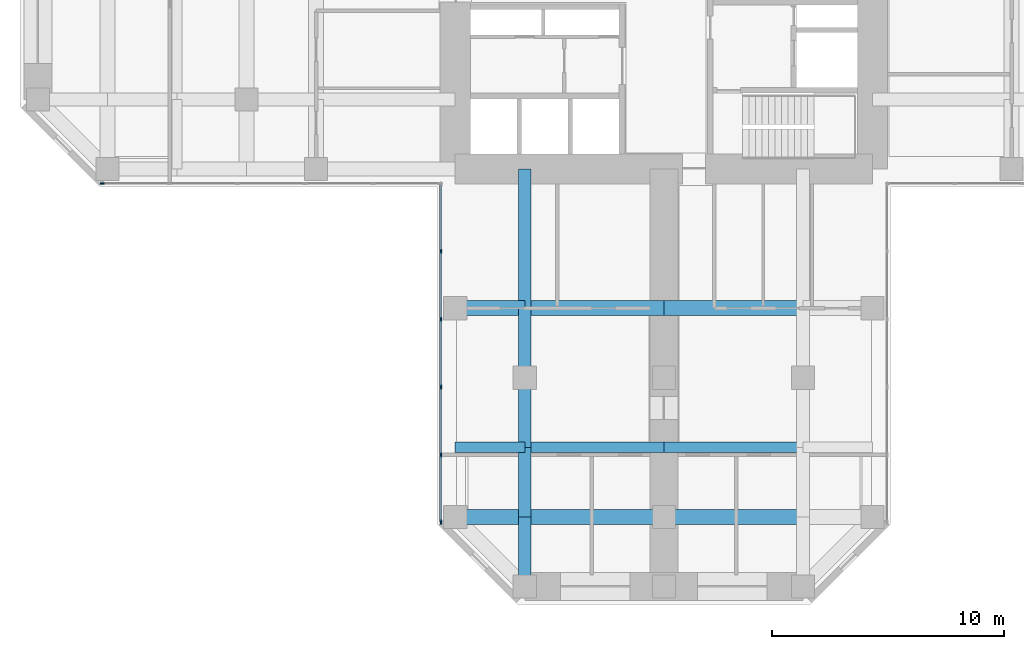
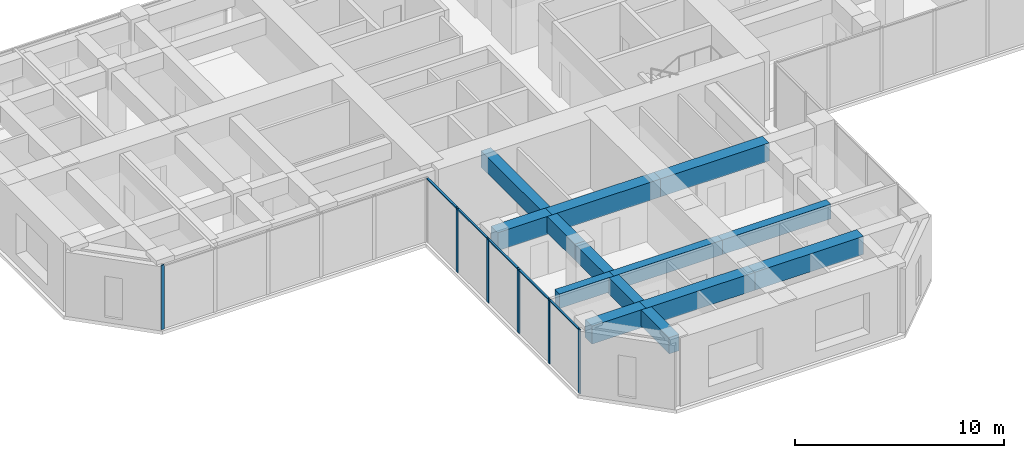
# One storey, part 2 of 13: 14 beams, 11 members, 2 elements without a shape of their own.
"""IFC4 building model written with IfcOpenShell, lengths in metres."""

import ifcopenshell
import ifcopenshell.guid

model = None  # the IFC model being written
_history = None  # IfcOwnerHistory: only IFC2X3 demands one
_inside = {}  # id of a spatial element -> (the spatial element, [elements in it])
_under = {}  # id of a project, library or spatial element -> (it, [spatial elements below it])
_declared = {}  # id of a project -> (the project, [libraries it declares])
_typed = {}  # id of a type object -> (the type object, [elements of that type])
_made_of = {}  # id of a material, layer set ... -> (it, [elements and type objects made of it])


def new_model(schema):
    """Start an empty IFC model of exactly this schema.

    Asked for "IFC4X3", IfcOpenShell would pick the latest addendum, in which some entities
    have other attributes; the version numbers below select the first issue.
    IFC2X3 requires an IfcOwnerHistory on every rooted entity: one is made here for all.
    """
    global model, _history
    if schema == "IFC4X3":
        model = ifcopenshell.file(schema_version=(4, 3, 0, 0))
    else:
        model = ifcopenshell.file(schema=schema)
    _inside.clear()
    _under.clear()
    _declared.clear()
    _typed.clear()
    _made_of.clear()
    _history = None
    if model.schema == "IFC2X3":
        org = make("IfcOrganization", Name="unknown")
        user = make(
            "IfcPersonAndOrganization",
            ThePerson=make("IfcPerson", FamilyName="unknown"),
            TheOrganization=org,
        )
        app = make(
            "IfcApplication",
            ApplicationDeveloper=org,
            Version="unknown",
            ApplicationFullName="unknown",
            ApplicationIdentifier="unknown",
        )
        _history = make(
            "IfcOwnerHistory",
            OwningUser=user,
            OwningApplication=app,
            ChangeAction="ADDED",
            CreationDate=0,
        )
    return model


def make(cls, **values):
    """One entity of the class cls with the attributes given. An attribute that is None is left unset."""
    return model.create_entity(
        cls, **{name: value for name, value in values.items() if value is not None}
    )


def rooted(cls, **values):
    """An entity with a GlobalId (a new one), such as an element, a storey or a relation."""
    return make(cls, GlobalId=ifcopenshell.guid.new(), OwnerHistory=_history, **values)


def si_unit(unit_type, name, prefix=None):
    """IfcSIUnit, for example si_unit("LENGTHUNIT", "METRE", prefix="MILLI")."""
    return make("IfcSIUnit", UnitType=unit_type, Prefix=prefix, Name=name)


def assignment(units):
    """IfcUnitAssignment: the units of a project."""
    return None if units is None else make("IfcUnitAssignment", Units=units)


def point(xyz):
    """IfcCartesianPoint."""
    return None if xyz is None else make("IfcCartesianPoint", Coordinates=xyz)


def direction(xyz):
    """IfcDirection."""
    return None if xyz is None else make("IfcDirection", DirectionRatios=xyz)


def frame(location, z_axis=None, x_axis=None):
    """IfcAxis2Placement3D, a coordinate frame: its origin and axes. An axis left out is left unset."""
    return make(
        "IfcAxis2Placement3D",
        Location=point(location),
        Axis=direction(z_axis),
        RefDirection=direction(x_axis),
    )


def frame_2d(location, x_axis=None):
    """IfcAxis2Placement2D, a coordinate frame in the plane: its origin and x axis."""
    return make(
        "IfcAxis2Placement2D", Location=point(location), RefDirection=direction(x_axis)
    )


def origin():
    """The frame at (0, 0, 0) with its axes left unset."""
    return frame((0.0, 0.0, 0.0))


def origin_2d():
    """The frame at (0, 0) in the plane with its x axis left unset."""
    return frame_2d((0.0, 0.0))


def place(relative_to, where):
    """IfcLocalPlacement: puts the frame where relative to a parent placement (None: the world)."""
    return make(
        "IfcLocalPlacement", PlacementRelTo=relative_to, RelativePlacement=where
    )


def context(
    kind, dimensions, precision=None, world=None, true_north=None, identifier=None
):
    """IfcGeometricRepresentationContext, for example the 3D "Model" context."""
    return make(
        "IfcGeometricRepresentationContext",
        ContextIdentifier=identifier,
        ContextType=kind,
        CoordinateSpaceDimension=dimensions,
        Precision=precision,
        WorldCoordinateSystem=world,
        TrueNorth=true_north,
    )


def subcontext(parent, identifier, kind, view, scale=None):
    """IfcGeometricRepresentationSubContext, for example "Body" below "Model"."""
    return make(
        "IfcGeometricRepresentationSubContext",
        ContextIdentifier=identifier,
        ContextType=kind,
        ParentContext=parent,
        TargetScale=scale,
        TargetView=view,
    )


def project(units=None, contexts=None):
    """IfcProject with its units and contexts."""
    return rooted(
        "IfcProject",
        Name="project",
        RepresentationContexts=contexts,
        UnitsInContext=assignment(units),
    )


def spatial(cls, under=None, at=None, **own):
    """A site, building, storey or space (cls), placed at a placement, below another one or the project."""
    s = rooted(cls, ObjectPlacement=at, **own)
    if under is not None:
        _under.setdefault(under.id(), (under, []))[1].append(s)
    return s


def profile(cls, at=None, kind="AREA", **sizes):
    """A parametric profile (cls). Its sizes go by their IFC names, for example OverallWidth=200.0."""
    return make(cls, ProfileType=kind, Position=at, **sizes)


def rectangle(**sizes):
    """IfcRectangleProfileDef."""
    return profile("IfcRectangleProfileDef", **sizes)


def extrude(swept, where, along, depth):
    """IfcExtrudedAreaSolid: the profile swept, set in the frame where, extruded along a direction by depth."""
    return make(
        "IfcExtrudedAreaSolid",
        SweptArea=swept,
        Position=where,
        ExtrudedDirection=direction(along),
        Depth=depth,
    )


def shape(context_of_items, identifier, shape_type, items):
    """IfcShapeRepresentation: the items that make up one representation, for example the "Body"."""
    return make(
        "IfcShapeRepresentation",
        ContextOfItems=context_of_items,
        RepresentationIdentifier=identifier,
        RepresentationType=shape_type,
        Items=items,
    )


def material(Name=None, Category=None):
    """IfcMaterial."""
    return make("IfcMaterial", Name=Name, Category=Category)


def material_profile(
    of_material, cross_section, Name=None, Category=None, Priority=None
):
    """IfcMaterialProfile: a cross section and its material."""
    return make(
        "IfcMaterialProfile",
        Name=Name,
        Material=of_material,
        Profile=cross_section,
        Priority=Priority,
        Category=Category,
    )


def profile_set(profiles, Name=None, composite=None):
    """IfcMaterialProfileSet."""
    return make(
        "IfcMaterialProfileSet",
        Name=Name,
        MaterialProfiles=profiles,
        CompositeProfile=composite,
    )


def made_of(thing, what):
    """Note that an element or type object is made of a material, layer set ...; save() writes the relation."""
    if what is not None:
        _made_of.setdefault(what.id(), (what, []))[1].append(thing)
    return thing


def type_object(cls, material=None, **own):
    """A type object (cls), such as IfcWallType, which elements share."""
    return made_of(rooted(cls, **own), material)


def element(
    cls,
    number,
    at=None,
    inside=None,
    cuts=None,
    type_object=None,
    material=None,
    context=None,
    identifier="Body",
    shape_type=None,
    held_by="IfcProductDefinitionShape",
    body=None,
    shapes=None,
    **own,
):
    """One element of the class cls, such as IfcWall. Its Tag is "e" and its number.

    at: its placement. inside: the storey or other place that contains it. cuts: it is an
    opening in that element (IfcRelVoidsElement). A single representation is given by context,
    identifier, shape_type and body (its items); several are given by shapes. held_by: the class
    of the entity that holds the representations. save() writes the other relations.
    """
    e = rooted(cls, Tag="e%d" % number, ObjectPlacement=at, **own)
    if body is not None:
        shapes = [shape(context, identifier, shape_type, body)]
    if shapes is not None:
        e.Representation = make(held_by, Representations=shapes)
    if inside is not None:
        _inside.setdefault(inside.id(), (inside, []))[1].append(e)
    if cuts is not None:
        rooted(
            "IfcRelVoidsElement", RelatingBuildingElement=cuts, RelatedOpeningElement=e
        )
    if type_object is not None:
        _typed.setdefault(type_object.id(), (type_object, []))[1].append(e)
    return made_of(e, material)


def aggregate(whole, parts):
    """IfcRelAggregates: a whole, such as a stair, and the parts it consists of."""
    return rooted("IfcRelAggregates", RelatingObject=whole, RelatedObjects=parts)


def save(model, path):
    """Write the relations noted so far, then the file.

    IfcRelAggregates (storeys below a building ...), IfcRelContainedInSpatialStructure (elements
    in a storey), IfcRelDefinesByType, IfcRelAssociatesMaterial and IfcRelDeclares: one each for
    every whole, place, type object, material and project.
    """
    for whole, parts in _under.values():
        aggregate(whole, parts)
    for where, things in _inside.values():
        rooted(
            "IfcRelContainedInSpatialStructure",
            RelatedElements=things,
            RelatingStructure=where,
        )
    for kind, things in _typed.values():
        rooted("IfcRelDefinesByType", RelatedObjects=things, RelatingType=kind)
    for what, things in _made_of.values():
        rooted("IfcRelAssociatesMaterial", RelatedObjects=things, RelatingMaterial=what)
    for by, libraries in _declared.values():
        rooted("IfcRelDeclares", RelatingContext=by, RelatedDefinitions=libraries)
    model.write(path)


model = new_model("IFC4")

# Units and contexts
model_context = context("Model", 3, precision=1e-05, world=origin(), true_north=direction((0.0, 1.0)))
body_context = subcontext(model_context, "Body", "Model", "MODEL_VIEW")
ifc_project = project(units=[si_unit("LENGTHUNIT", "METRE"), si_unit("AREAUNIT", "SQUARE_METRE"), si_unit("VOLUMEUNIT", "CUBIC_METRE"), si_unit("PLANEANGLEUNIT", "RADIAN"), si_unit("MASSUNIT", "GRAM", prefix="KILO")], contexts=[model_context])

# Site, building, storey
site_placement = place(None, origin())
site = spatial("IfcSite", under=ifc_project, at=site_placement, CompositionType="ELEMENT")
building_placement = place(site_placement, origin())
building = spatial("IfcBuilding", under=site, at=building_placement, Name="Torre Cruceta", CompositionType="ELEMENT")
storey_placement = place(building_placement, frame((0.0, 0.0, 160.5)))
storey = spatial("IfcBuildingStorey", under=building, at=storey_placement, Name="L39", CompositionType="ELEMENT", Elevation=160.5)

# Beams
ifc_material_1 = material(Name="Concrete G60 (fck 60 MPa)", Category="concrete")
ifc_material_profile_1 = material_profile(ifc_material_1, rectangle(XDim=0.550048828125, YDim=0.949951171875, at=origin_2d()), Name="RC 550X950")
ifc_profile_set_1 = profile_set([ifc_material_profile_1], Name="Concrete G60 (fck 60 MPa)")
beam_type_1 = type_object("IfcBeamType", Name="COLUMN LINE BEAM RC 550X950", PredefinedType="BEAM", material=ifc_profile_set_1)
beam_1_placement = place(storey_placement, frame((-6.0, -9.0, 3.27490234375), z_axis=(0.0, -1.0, 0.0), x_axis=(1.0, 0.0, 0.0)))
element("IfcBeam", 1, at=beam_1_placement, inside=storey, type_object=beam_type_1, Name="LB3 L39 S col- 1", PredefinedType="BEAM", context=body_context, shape_type="SweptSolid", body=[
    extrude(rectangle(XDim=0.550048828125, YDim=0.949951171875, at=origin_2d()), origin(), (0.0, 0.0, 1.0), 6.0),
])
for number, where, z_axis, x_axis, name in (
    (2, (-6.0, -15.0, 3.27490234375), (0.0, -1.0, 0.0), (1.0, 0.0, 0.0), "LB3 L39 S col- 2"),
    (3, (-6.0, -18.0, 3.27490234375), (0.0, -1.0, 0.0), (1.0, 0.0, 0.0), "LB3 L39 S col- 3"),
    (4, (-6.0, -21.0, 3.27490234375), (0.0, -1.0, 0.0), (1.0, 0.0, 0.0), "LB3 L39 S col- 4"),
    (5, (-6.0, -24.0, 3.27490234375), (0.0, -1.0, 0.0), (1.0, 0.0, 0.0), "LB3 L39 S col- 5"),
):
    element("IfcBeam", number, at=place(storey_placement, frame(where, z_axis=z_axis, x_axis=x_axis)), inside=storey, type_object=beam_type_1, Name=name, PredefinedType="BEAM", context=body_context, shape_type="SweptSolid", body=[
        extrude(rectangle(XDim=0.550048828125, YDim=0.949951171875, at=origin_2d()), origin(), (0.0, 0.0, 1.0), 3.0),
    ])
ifc_material_2 = material(Name="Concrete G60 (fck 60 MPa)", Category="concrete")
ifc_material_profile_2 = material_profile(ifc_material_2, rectangle(XDim=0.64990234375, YDim=1.050048828125, at=origin_2d()), Name="RC 650X1050")
ifc_profile_set_2 = profile_set([ifc_material_profile_2], Name="Concrete G60 (fck 60 MPa)")
beam_type_2 = type_object("IfcBeamType", Name="CROSS BEAM RC 650X1050", PredefinedType="BEAM", material=ifc_profile_set_2)
beam_2_placement = place(storey_placement, frame((-9.0, -15.0, 3.22509765625), z_axis=(1.0, 0.0, 0.0), x_axis=(0.0, 1.0, 0.0)))
element("IfcBeam", 6, at=beam_2_placement, inside=storey, type_object=beam_type_2, Name="GB3 L39 S cross15 1", PredefinedType="BEAM", context=body_context, shape_type="SweptSolid", body=[
    extrude(rectangle(XDim=0.64990234375, YDim=1.050048828125, at=origin_2d()), origin(), (0.0, 0.0, 1.0), 3.0),
])
for number, where, z_axis, x_axis, name in (
    (7, (-6.0, -15.0, 3.22509765625), (1.0, 0.0, 0.0), (0.0, 1.0, 0.0), "GB3 L39 S cross15 2"),
    (8, (0.0, -15.0, 3.22509765625), (1.0, 0.0, 0.0), (0.0, 1.0, 0.0), "GB3 L39 S cross15 3"),
):
    element("IfcBeam", number, at=place(storey_placement, frame(where, z_axis=z_axis, x_axis=x_axis)), inside=storey, type_object=beam_type_2, Name=name, PredefinedType="BEAM", context=body_context, shape_type="SweptSolid", body=[
        extrude(rectangle(XDim=0.64990234375, YDim=1.050048828125, at=origin_2d()), origin(), (0.0, 0.0, 1.0), 6.0),
    ])
beam_3_placement = place(storey_placement, frame((-9.0, -24.0, 3.22509765625), z_axis=(1.0, 0.0, 0.0), x_axis=(0.0, 1.0, 0.0)))
element("IfcBeam", 9, at=beam_3_placement, inside=storey, type_object=beam_type_2, Name="GB3 L39 S cross24 1", PredefinedType="BEAM", context=body_context, shape_type="SweptSolid", body=[
    extrude(rectangle(XDim=0.64990234375, YDim=1.050048828125, at=origin_2d()), origin(), (0.0, 0.0, 1.0), 3.0),
])
for number, where, z_axis, x_axis, name in (
    (10, (-6.0, -24.0, 3.22509765625), (1.0, 0.0, 0.0), (0.0, 1.0, 0.0), "GB3 L39 S cross24 2"),
    (11, (0.0, -24.0, 3.22509765625), (1.0, 0.0, 0.0), (0.0, 1.0, 0.0), "GB3 L39 S cross24 3"),
):
    element("IfcBeam", number, at=place(storey_placement, frame(where, z_axis=z_axis, x_axis=x_axis)), inside=storey, type_object=beam_type_2, Name=name, PredefinedType="BEAM", context=body_context, shape_type="SweptSolid", body=[
        extrude(rectangle(XDim=0.64990234375, YDim=1.050048828125, at=origin_2d()), origin(), (0.0, 0.0, 1.0), 6.0),
    ])

# Curtain wall, member
ifc_material_3 = material(Name="Aluminium unitised curtain wall", Category="aluminium")
curtain_wall_type = type_object("IfcCurtainWallType", Name="CURTAIN WALL CW-B OFFICE MID RISE", PredefinedType="USERDEFINED", material=ifc_material_3)
curtain_wall_1_placement = place(storey_placement, origin())
curtain_wall_1 = element("IfcCurtainWall", 12, at=curtain_wall_1_placement, inside=storey, type_object=curtain_wall_type, Name="CW-B L39 W side 14", ObjectType="UNITISED", PredefinedType="USERDEFINED")
ifc_material_4 = material(Name="Aluminium mullion", Category="aluminium")
ifc_material_profile_3 = material_profile(ifc_material_4, rectangle(XDim=0.06494140625, YDim=0.179931640625, at=origin_2d()), Name="AL 65X180")
ifc_profile_set_3 = profile_set([ifc_material_profile_3], Name="Aluminium mullion")
member_type_1 = type_object("IfcMemberType", Name="CW-B MULLION 65X180", PredefinedType="MULLION", material=ifc_profile_set_3)
member_1_placement = place(storey_placement, frame((-24.224365234375, -9.6201171875, 0.0), z_axis=(0.0, 0.0, 1.0), x_axis=(0.0, 1.0, 0.0)))
member_1 = element("IfcMember", 13, at=member_1_placement, type_object=member_type_1, Name="CW-B mullion 1", PredefinedType="MULLION", context=body_context, shape_type="SweptSolid", body=[
    extrude(rectangle(XDim=0.06494140625, YDim=0.179931640625, at=origin_2d()), origin(), (0.0, 0.0, 1.0), 3.75),
])
aggregate(curtain_wall_1, [member_1])

# Curtain wall, members
curtain_wall_2_placement = place(storey_placement, origin())
curtain_wall_2 = element("IfcCurtainWall", 14, at=curtain_wall_2_placement, inside=storey, type_object=curtain_wall_type, Name="CW-B L39 S side 15", ObjectType="UNITISED", PredefinedType="USERDEFINED")
member_2_placement = place(storey_placement, frame((-9.6201171875, -12.54736328125, 0.0), z_axis=(0.0, 0.0, 1.0), x_axis=(1.0, 0.0, 0.0)))
member_2 = element("IfcMember", 15, at=member_2_placement, type_object=member_type_1, Name="CW-B mullion 2", PredefinedType="MULLION", context=body_context, shape_type="SweptSolid", body=[
    extrude(rectangle(XDim=0.06494140625, YDim=0.179931640625, at=origin_2d()), origin(), (0.0, 0.0, 1.0), 3.75),
])
member_3_placement = place(storey_placement, frame((-9.6201171875, -15.474609375, 0.0), z_axis=(0.0, 0.0, 1.0), x_axis=(1.0, 0.0, 0.0)))
member_3 = element("IfcMember", 16, at=member_3_placement, type_object=member_type_1, Name="CW-B mullion 3", PredefinedType="MULLION", context=body_context, shape_type="SweptSolid", body=[
    extrude(rectangle(XDim=0.06494140625, YDim=0.179931640625, at=origin_2d()), origin(), (0.0, 0.0, 1.0), 3.75),
])
member_4_placement = place(storey_placement, frame((-9.6201171875, -18.402099609375, 0.0), z_axis=(0.0, 0.0, 1.0), x_axis=(1.0, 0.0, 0.0)))
member_4 = element("IfcMember", 17, at=member_4_placement, type_object=member_type_1, Name="CW-B mullion 4", PredefinedType="MULLION", context=body_context, shape_type="SweptSolid", body=[
    extrude(rectangle(XDim=0.06494140625, YDim=0.179931640625, at=origin_2d()), origin(), (0.0, 0.0, 1.0), 3.75),
])
member_5_placement = place(storey_placement, frame((-9.6201171875, -21.329345703125, 0.0), z_axis=(0.0, 0.0, 1.0), x_axis=(1.0, 0.0, 0.0)))
member_5 = element("IfcMember", 18, at=member_5_placement, type_object=member_type_1, Name="CW-B mullion 5", PredefinedType="MULLION", context=body_context, shape_type="SweptSolid", body=[
    extrude(rectangle(XDim=0.06494140625, YDim=0.179931640625, at=origin_2d()), origin(), (0.0, 0.0, 1.0), 3.75),
])
member_6_placement = place(storey_placement, frame((-9.6201171875, -24.224365234375, 0.0), z_axis=(0.0, 0.0, 1.0), x_axis=(1.0, 0.0, 0.0)))
member_6 = element("IfcMember", 19, at=member_6_placement, type_object=member_type_1, Name="CW-B mullion 6", PredefinedType="MULLION", context=body_context, shape_type="SweptSolid", body=[
    extrude(rectangle(XDim=0.06494140625, YDim=0.179931640625, at=origin_2d()), origin(), (0.0, 0.0, 1.0), 3.75),
])
ifc_material_5 = material(Name="Aluminium transom", Category="aluminium")
ifc_material_profile_4 = material_profile(ifc_material_5, rectangle(XDim=0.110107421875, YDim=0.06494140625, at=origin_2d()), Name="AL 110X65")
ifc_profile_set_4 = profile_set([ifc_material_profile_4], Name="Aluminium transom")
member_type_2 = type_object("IfcMemberType", Name="CW-B TRANSOM 65X110", PredefinedType="USERDEFINED", material=ifc_profile_set_4)
member_7_placement = place(storey_placement, frame((-9.6201171875, -9.68505859375, 3.717529296875), z_axis=(0.0, -1.0, 0.0), x_axis=(1.0, 0.0, 0.0)))
member_7 = element("IfcMember", 20, at=member_7_placement, type_object=member_type_2, Name="CW-B transom 1", ObjectType="TRANSOM", PredefinedType="USERDEFINED", context=body_context, shape_type="SweptSolid", body=[
    extrude(rectangle(XDim=0.110107421875, YDim=0.06494140625, at=origin_2d()), origin(), (0.0, 0.0, 1.0), 2.829833984375),
])
member_8_placement = place(storey_placement, frame((-9.6201171875, -12.579833984375, 3.717529296875), z_axis=(0.0, -1.0, 0.0), x_axis=(1.0, 0.0, 0.0)))
member_8 = element("IfcMember", 21, at=member_8_placement, type_object=member_type_2, Name="CW-B transom 2", ObjectType="TRANSOM", PredefinedType="USERDEFINED", context=body_context, shape_type="SweptSolid", body=[
    extrude(rectangle(XDim=0.110107421875, YDim=0.06494140625, at=origin_2d()), origin(), (0.0, 0.0, 1.0), 2.8623046875),
])
member_9_placement = place(storey_placement, frame((-9.6201171875, -15.50732421875, 3.717529296875), z_axis=(0.0, -1.0, 0.0), x_axis=(1.0, 0.0, 0.0)))
member_9 = element("IfcMember", 22, at=member_9_placement, type_object=member_type_2, Name="CW-B transom 3", ObjectType="TRANSOM", PredefinedType="USERDEFINED", context=body_context, shape_type="SweptSolid", body=[
    extrude(rectangle(XDim=0.110107421875, YDim=0.06494140625, at=origin_2d()), origin(), (0.0, 0.0, 1.0), 2.8623046875),
])
member_10_placement = place(storey_placement, frame((-9.6201171875, -18.4345703125, 3.717529296875), z_axis=(0.0, -1.0, 0.0), x_axis=(1.0, 0.0, 0.0)))
member_10 = element("IfcMember", 23, at=member_10_placement, type_object=member_type_2, Name="CW-B transom 4", ObjectType="TRANSOM", PredefinedType="USERDEFINED", context=body_context, shape_type="SweptSolid", body=[
    extrude(rectangle(XDim=0.110107421875, YDim=0.06494140625, at=origin_2d()), origin(), (0.0, 0.0, 1.0), 2.8623046875),
])
member_11_placement = place(storey_placement, frame((-9.6201171875, -21.362060546875, 3.717529296875), z_axis=(0.0, -1.0, 0.0), x_axis=(1.0, 0.0, 0.0)))
member_11 = element("IfcMember", 24, at=member_11_placement, type_object=member_type_2, Name="CW-B transom 5", ObjectType="TRANSOM", PredefinedType="USERDEFINED", context=body_context, shape_type="SweptSolid", body=[
    extrude(rectangle(XDim=0.110107421875, YDim=0.06494140625, at=origin_2d()), origin(), (0.0, 0.0, 1.0), 2.829833984375),
])
aggregate(curtain_wall_2, [member_2, member_3, member_4, member_5, member_6, member_7, member_8, member_9, member_10, member_11])

# Beams
ifc_material_6 = material(Name="Concrete G60 (fck 60 MPa)", Category="concrete")
ifc_material_profile_5 = material_profile(ifc_material_6, rectangle(XDim=0.449951171875, YDim=0.85009765625, at=origin_2d()), Name="RC 450X850")
ifc_profile_set_5 = profile_set([ifc_material_profile_5], Name="Concrete G60 (fck 60 MPa)")
beam_type_3 = type_object("IfcBeamType", Name="SECONDARY BEAM RC 450X850", PredefinedType="JOIST", material=ifc_profile_set_5)
beam_4_placement = place(storey_placement, frame((-9.0, -21.0, 3.324951171875), z_axis=(1.0, 0.0, 0.0), x_axis=(0.0, 1.0, 0.0)))
element("IfcBeam", 25, at=beam_4_placement, inside=storey, type_object=beam_type_3, Name="JB4 L39 S sec21 1", PredefinedType="JOIST", context=body_context, shape_type="SweptSolid", body=[
    extrude(rectangle(XDim=0.449951171875, YDim=0.85009765625, at=origin_2d()), origin(), (0.0, 0.0, 1.0), 3.0),
])
for number, where, z_axis, x_axis, name in (
    (26, (-6.0, -21.0, 3.324951171875), (1.0, 0.0, 0.0), (0.0, 1.0, 0.0), "JB4 L39 S sec21 2"),
    (27, (0.0, -21.0, 3.324951171875), (1.0, 0.0, 0.0), (0.0, 1.0, 0.0), "JB4 L39 S sec21 3"),
):
    element("IfcBeam", number, at=place(storey_placement, frame(where, z_axis=z_axis, x_axis=x_axis)), inside=storey, type_object=beam_type_3, Name=name, PredefinedType="JOIST", context=body_context, shape_type="SweptSolid", body=[
        extrude(rectangle(XDim=0.449951171875, YDim=0.85009765625, at=origin_2d()), origin(), (0.0, 0.0, 1.0), 6.0),
    ])

save(model, "model.ifc")
